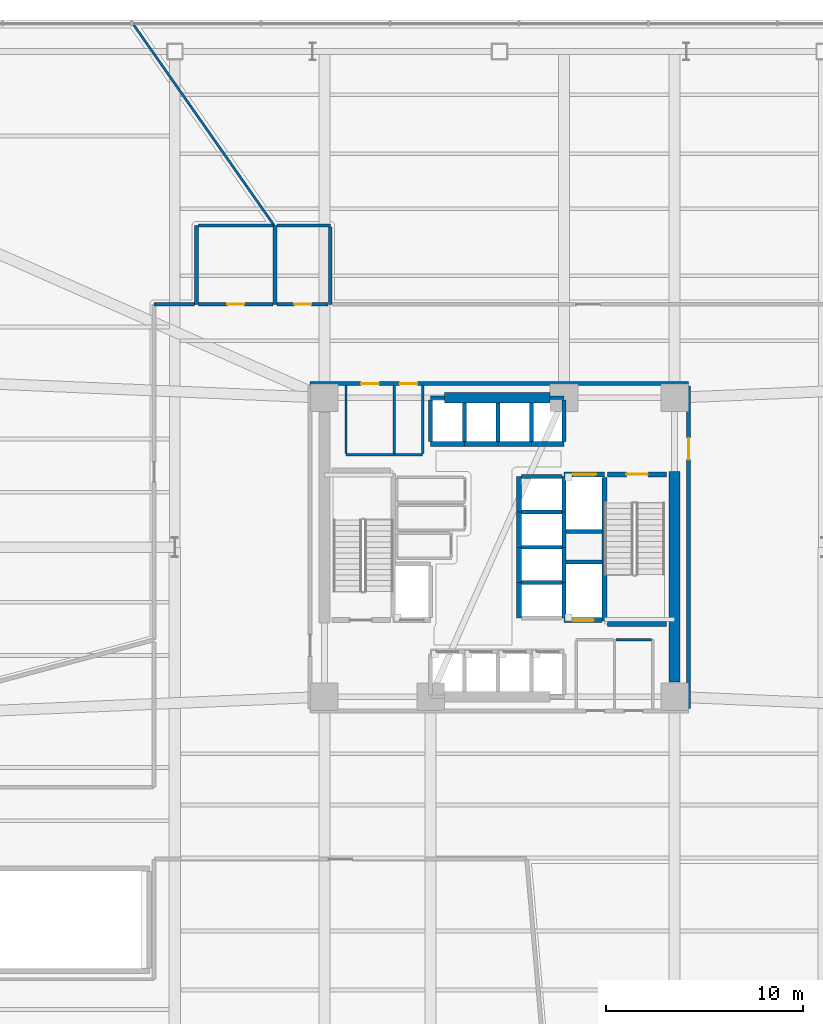
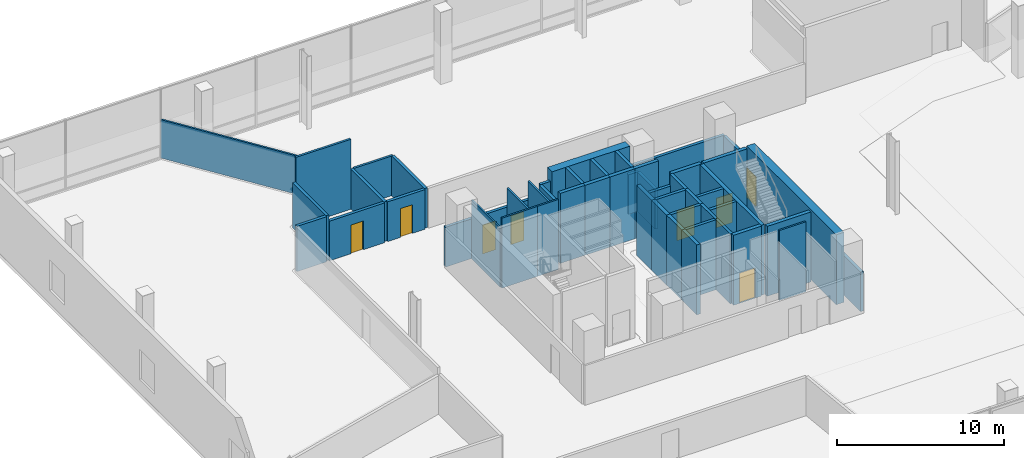
# One storey, part 13 of 19: 49 walls, 8 doors, 8 openings.
"""IFC4 building model written with IfcOpenShell, lengths in metres."""

from ifc_helpers import new_model, si_unit, direction, frame, frame_2d, origin, place, context, subcontext, project, spatial, rectangle, extrude, material, layer, layer_set, type_object, element, fill, save


model = new_model("IFC4")

# Units and contexts
model_context = context("Model", 3, precision=1e-05, world=origin(), true_north=direction((0.0, 1.0)))
body_context = subcontext(model_context, "Body", "Model", "MODEL_VIEW")
ifc_project = project(units=[si_unit("LENGTHUNIT", "METRE"), si_unit("AREAUNIT", "SQUARE_METRE"), si_unit("VOLUMEUNIT", "CUBIC_METRE"), si_unit("PLANEANGLEUNIT", "RADIAN"), si_unit("MASSUNIT", "GRAM", prefix="KILO")], contexts=[model_context])

# Site, building, storey
site_placement = place(None, origin())
site = spatial("IfcSite", under=ifc_project, at=site_placement, CompositionType="ELEMENT")
building_placement = place(site_placement, origin())
building = spatial("IfcBuilding", under=site, at=building_placement, Name="Tharavind Bronze Gate", CompositionType="ELEMENT")
storey_placement = place(building_placement, frame((0.0, 0.0, 26.5)))
storey = spatial("IfcBuildingStorey", under=building, at=storey_placement, Name="L05", CompositionType="ELEMENT", Elevation=26.5)

# Wall, openings, doors
ifc_material_1 = material(Name="Aerated Concrete Block", Category="concrete")
ifc_layer_1 = layer(ifc_material_1, 0.199951171875)
ifc_layer_set_1 = layer_set([ifc_layer_1], Name="Aerated Concrete Block")
wall_type_1 = type_object("IfcWallType", Name="FIRE RATED PARTITION 200", PredefinedType="PARTITIONING", material=ifc_layer_set_1)
wall_1_placement = place(storey_placement, frame((9.6201171875, 8.320068359375, 0.0), z_axis=(0.0, 0.0, 1.0), x_axis=(-1.0, 0.0, 0.0)))
wall_1 = element("IfcWall", 1, at=wall_1_placement, inside=storey, type_object=wall_type_1, Name="L05 north core corridor wall", PredefinedType="PARTITIONING", context=body_context, shape_type="SweptSolid", body=[
    extrude(rectangle(XDim=19.240234375, YDim=0.199951171875, at=frame_2d((9.6201171875, 0.0))), origin(), (0.0, 0.0, 1.0), 2.89990234375),
])
opening_1_placement = place(wall_1_placement, frame((15.7451171875, 0.0, 0.0)))
opening_1 = element("IfcOpeningElement", 2, at=opening_1_placement, cuts=wall_1, Name="Opening ID07", PredefinedType="OPENING", context=body_context, shape_type="SweptSolid", body=[
    extrude(rectangle(XDim=0.89990234375, YDim=2.10009765625, at=frame_2d((0.449951171875, 1.050048828125))), frame((0.0, 0.11009765625, 0.0), z_axis=(0.0, -1.0, 0.0), x_axis=(1.0, 0.0, 0.0)), (0.0, 0.0, 1.0), 0.219951171875),
])
opening_2_placement = place(wall_1_placement, frame((13.794921875, 0.0, 0.0)))
opening_2 = element("IfcOpeningElement", 3, at=opening_2_placement, cuts=wall_1, Name="Opening ID07", PredefinedType="OPENING", context=body_context, shape_type="SweptSolid", body=[
    extrude(rectangle(XDim=0.89990234375, YDim=2.10009765625, at=frame_2d((0.449951171875, 1.050048828125))), frame((0.0, 0.11009765625, 0.0), z_axis=(0.0, -1.0, 0.0), x_axis=(1.0, 0.0, 0.0)), (0.0, 0.0, 1.0), 0.219951171875),
])
ifc_material_2 = material(Name="Galvanised Fire Steel", Category="steel")
door_type_1 = type_object("IfcDoorType", Name="PLANT AND RISER FIRE DOOR 900X2100", OperationType="SINGLE_SWING_LEFT", PredefinedType="DOOR", material=ifc_material_2)
door_1_placement = place(opening_1_placement, origin())
door_1 = element("IfcDoor", 4, at=door_1_placement, inside=storey, type_object=door_type_1, Name="L05 Electrical Metering Room fire door", OperationType="SINGLE_SWING_LEFT", OverallHeight=2.10009765625, OverallWidth=0.89990234375, PredefinedType="DOOR", context=body_context, shape_type="SweptSolid", body=[
    extrude(rectangle(XDim=0.89990234375, YDim=2.10009765625, at=frame_2d((0.449951171875, 1.050048828125))), frame((0.0, 0.02490234375, 0.0), z_axis=(0.0, -1.0, 0.0), x_axis=(1.0, 0.0, 0.0)), (0.0, 0.0, 1.0), 0.050048828125),
])
fill(opening_1, door_1)
door_2_placement = place(opening_2_placement, origin())
door_2 = element("IfcDoor", 5, at=door_2_placement, inside=storey, type_object=door_type_1, Name="L05 Linen Cupboard fire door", OperationType="SINGLE_SWING_LEFT", OverallHeight=2.10009765625, OverallWidth=0.89990234375, PredefinedType="DOOR", context=body_context, shape_type="SweptSolid", body=[
    extrude(rectangle(XDim=0.89990234375, YDim=2.10009765625, at=frame_2d((0.449951171875, 1.050048828125))), frame((0.0, 0.02490234375, 0.0), z_axis=(0.0, -1.0, 0.0), x_axis=(1.0, 0.0, 0.0)), (0.0, 0.0, 1.0), 0.050048828125),
])
fill(opening_2, door_2)

# Wall, opening, door
wall_2_placement = place(storey_placement, frame((9.6201171875, -8.199951171875, 0.0), z_axis=(0.0, 0.0, 1.0), x_axis=(0.0, 1.0, 0.0)))
wall_2 = element("IfcWall", 6, at=wall_2_placement, inside=storey, type_object=wall_type_1, Name="L05 east core corridor wall", PredefinedType="PARTITIONING", context=body_context, shape_type="SweptSolid", body=[
    extrude(rectangle(XDim=16.39990234375, YDim=0.199951171875, at=frame_2d((8.199951171875, 0.0))), origin(), (0.0, 0.0, 1.0), 2.89990234375),
])
opening_3_placement = place(wall_2_placement, frame((12.64990234375, 0.0, 0.0)))
opening_3 = element("IfcOpeningElement", 7, at=opening_3_placement, cuts=wall_2, Name="Opening ID01", PredefinedType="OPENING", context=body_context, shape_type="SweptSolid", body=[
    extrude(rectangle(XDim=1.10009765625, YDim=2.14990234375, at=frame_2d((0.550048828125, 1.074951171875))), frame((0.0, 0.11009765625, 0.0), z_axis=(0.0, -1.0, 0.0), x_axis=(1.0, 0.0, 0.0)), (0.0, 0.0, 1.0), 0.219951171875),
])
ifc_material_3 = material(Name="Fire-Rated Steel", Category="steel")
door_type_2 = type_object("IfcDoorType", Name="STAIR CORE FIRE DOOR 1100X2150", OperationType="SINGLE_SWING_LEFT", PredefinedType="DOOR", material=ifc_material_3)
door_3_placement = place(opening_3_placement, frame((1.10009765625, 0.0, 0.0), z_axis=(0.0, 0.0, 1.0), x_axis=(-1.0, 0.0, 0.0)))
door_3 = element("IfcDoor", 8, at=door_3_placement, inside=storey, type_object=door_type_2, Name="L05 north east stair lobby fire door", OperationType="SINGLE_SWING_LEFT", OverallHeight=2.14990234375, OverallWidth=1.10009765625, PredefinedType="DOOR", context=body_context, shape_type="SweptSolid", body=[
    extrude(rectangle(XDim=1.10009765625, YDim=2.14990234375, at=frame_2d((0.550048828125, 1.074951171875))), frame((0.0, 0.02490234375, 0.0), z_axis=(0.0, -1.0, 0.0), x_axis=(1.0, 0.0, 0.0)), (0.0, 0.0, 1.0), 0.050048828125),
])
fill(opening_3, door_3)

# Walls
wall_3_placement = place(storey_placement, frame((-11.39990234375, 12.35009765625, 0.0), z_axis=(0.0, 0.0, 1.0), x_axis=(0.0, 1.0, 0.0)))
element("IfcWall", 9, at=wall_3_placement, inside=storey, type_object=wall_type_1, Name="L05 Accessible Toilet partition", PredefinedType="PARTITIONING", context=body_context, shape_type="SweptSolid", body=[
    extrude(rectangle(XDim=4.0, YDim=0.199951171875, at=frame_2d((2.0, 0.0))), origin(), (0.0, 0.0, 1.0), 2.89990234375),
])
wall_4_placement = place(storey_placement, frame((-8.60009765625, 16.27001953125, 0.0), z_axis=(0.0, 0.0, 1.0), x_axis=(0.0, -1.0, 0.0)))
element("IfcWall", 10, at=wall_4_placement, inside=storey, type_object=wall_type_1, Name="L05 Accessible Toilet partition", PredefinedType="PARTITIONING", context=body_context, shape_type="SweptSolid", body=[
    extrude(rectangle(XDim=3.919921875, YDim=0.199951171875, at=frame_2d((1.9599609375, 0.0))), origin(), (0.0, 0.0, 1.0), 2.89990234375),
])

# Wall, opening, door
wall_5_placement = place(storey_placement, frame((-8.705078125, 12.35009765625, 0.0), z_axis=(0.0, 0.0, 1.0), x_axis=(-1.0, 0.0, 0.0)))
wall_5 = element("IfcWall", 11, at=wall_5_placement, inside=storey, type_object=wall_type_1, Name="L05 Accessible Toilet partition", PredefinedType="PARTITIONING", context=body_context, shape_type="SweptSolid", body=[
    extrude(rectangle(XDim=2.58984375, YDim=0.199951171875, at=frame_2d((1.294921875, 0.0))), origin(), (0.0, 0.0, 1.0), 2.89990234375),
])
opening_4_placement = place(wall_5_placement, frame((0.8701171875, 0.0, 0.0)))
opening_4 = element("IfcOpeningElement", 12, at=opening_4_placement, cuts=wall_5, Name="Opening ID06", PredefinedType="OPENING", context=body_context, shape_type="SweptSolid", body=[
    extrude(rectangle(XDim=0.85009765625, YDim=2.10009765625, at=frame_2d((0.425048828125, 1.050048828125))), frame((0.0, 0.11009765625, 0.0), z_axis=(0.0, -1.0, 0.0), x_axis=(1.0, 0.0, 0.0)), (0.0, 0.0, 1.0), 0.219951171875),
])
ifc_material_4 = material(Name="Moisture-Resistant Timber", Category="wood")
door_type_3 = type_object("IfcDoorType", Name="BATHROOM PRIVACY DOOR 850X2100", OperationType="SINGLE_SWING_RIGHT", PredefinedType="DOOR", material=ifc_material_4)
door_4_placement = place(opening_4_placement, origin())
door_4 = element("IfcDoor", 13, at=door_4_placement, inside=storey, type_object=door_type_3, Name="L05 Accessible Toilet door", OperationType="SINGLE_SWING_RIGHT", OverallHeight=2.10009765625, OverallWidth=0.85009765625, PredefinedType="DOOR", context=body_context, shape_type="SweptSolid", body=[
    extrude(rectangle(XDim=0.85009765625, YDim=2.10009765625, at=frame_2d((0.425048828125, 1.050048828125))), frame((0.0, 0.02490234375, 0.0), z_axis=(0.0, -1.0, 0.0), x_axis=(1.0, 0.0, 0.0)), (0.0, 0.0, 1.0), 0.050048828125),
])
fill(opening_4, door_4)

# Wall
wall_6_placement = place(storey_placement, frame((-15.39990234375, 12.35009765625, 0.0), z_axis=(0.0, 0.0, 1.0), x_axis=(0.0, 1.0, 0.0)))
element("IfcWall", 14, at=wall_6_placement, inside=storey, type_object=wall_type_1, Name="L05 Public Washroom partition", PredefinedType="PARTITIONING", context=body_context, shape_type="SweptSolid", body=[
    extrude(rectangle(XDim=4.0, YDim=0.199951171875, at=frame_2d((2.0, 0.0))), origin(), (0.0, 0.0, 1.0), 3.300048828125),
])

# Wall, opening, door
wall_7_placement = place(storey_placement, frame((-11.5048828125, 12.35009765625, 0.0), z_axis=(0.0, 0.0, 1.0), x_axis=(-1.0, 0.0, 0.0)))
wall_7 = element("IfcWall", 15, at=wall_7_placement, inside=storey, type_object=wall_type_1, Name="L05 Public Washroom partition", PredefinedType="PARTITIONING", context=body_context, shape_type="SweptSolid", body=[
    extrude(rectangle(XDim=3.7900390625, YDim=0.199951171875, at=frame_2d((1.89501953125, 0.0))), origin(), (0.0, 0.0, 1.0), 2.89990234375),
])
opening_5_placement = place(wall_7_placement, frame((1.469970703125, 0.0, 0.0)))
opening_5 = element("IfcOpeningElement", 16, at=opening_5_placement, cuts=wall_7, Name="Opening ID06", PredefinedType="OPENING", context=body_context, shape_type="SweptSolid", body=[
    extrude(rectangle(XDim=0.85009765625, YDim=2.10009765625, at=frame_2d((0.425048828125, 1.050048828125))), frame((0.0, 0.11009765625, 0.0), z_axis=(0.0, -1.0, 0.0), x_axis=(1.0, 0.0, 0.0)), (0.0, 0.0, 1.0), 0.219951171875),
])
door_5_placement = place(opening_5_placement, origin())
door_5 = element("IfcDoor", 17, at=door_5_placement, inside=storey, type_object=door_type_3, Name="L05 Public Washroom door", OperationType="SINGLE_SWING_RIGHT", OverallHeight=2.10009765625, OverallWidth=0.85009765625, PredefinedType="DOOR", context=body_context, shape_type="SweptSolid", body=[
    extrude(rectangle(XDim=0.85009765625, YDim=2.10009765625, at=frame_2d((0.425048828125, 1.050048828125))), frame((0.0, 0.02490234375, 0.0), z_axis=(0.0, -1.0, 0.0), x_axis=(1.0, 0.0, 0.0)), (0.0, 0.0, 1.0), 0.050048828125),
])
fill(opening_5, door_5)

# Walls
wall_8_placement = place(storey_placement, frame((-15.5048828125, 12.35009765625, 0.0), z_axis=(0.0, 0.0, 1.0), x_axis=(-1.0, 0.0, 0.0)))
element("IfcWall", 18, at=wall_8_placement, inside=storey, type_object=wall_type_1, Name="L05 Simultaneous Interpretation Office partition", PredefinedType="PARTITIONING", context=body_context, shape_type="SweptSolid", body=[
    extrude(rectangle(XDim=2.04443359375, YDim=0.199951171875, at=frame_2d((1.022216796875, 0.0))), origin(), (0.0, 0.0, 1.0), 3.300048828125),
])
ifc_material_5 = material(Name="Metal Stud Gypsum Partition", Category="gypsum")
ifc_layer_2 = layer(ifc_material_5, 0.1201171875)
ifc_layer_set_2 = layer_set([ifc_layer_2], Name="Metal Stud Gypsum Partition")
wall_type_2 = type_object("IfcWallType", Name="INTERIOR PARTITION WALL 120", PredefinedType="PARTITIONING", material=ifc_layer_set_2)
wall_9_placement = place(storey_placement, frame((-7.800048828125, 4.699951171875, 0.0), z_axis=(0.0, 0.0, 1.0), x_axis=(1.0, 0.0, 0.0)))
element("IfcWall", 19, at=wall_9_placement, inside=storey, type_object=wall_type_2, Name="L05 Electrical Metering Room partition 1", PredefinedType="PARTITIONING", context=body_context, shape_type="SweptSolid", body=[
    extrude(rectangle(XDim=2.449951171875, YDim=0.1201171875, at=frame_2d((1.22509765625, 0.0))), origin(), (0.0, 0.0, 1.0), 5.10498046875),
])
for number, where, z_axis, x_axis, name in (
    (20, (-5.35009765625, 4.764892578125, 0.0), (0.0, 0.0, 1.0), (0.0, 1.0, 0.0), "L05 Electrical Metering Room partition 2"),
    (21, (-7.800048828125, 8.215087890625, 0.0), (0.0, 0.0, 1.0), (0.0, -1.0, 0.0), "L05 Electrical Metering Room partition 4"),
):
    element("IfcWall", number, at=place(storey_placement, frame(where, z_axis=z_axis, x_axis=x_axis)), inside=storey, type_object=wall_type_2, Name=name, PredefinedType="PARTITIONING", context=body_context, shape_type="SweptSolid", body=[
        extrude(rectangle(XDim=3.4501953125, YDim=0.1201171875, at=frame_2d((1.72509765625, 0.0))), origin(), (0.0, 0.0, 1.0), 4.300048828125),
    ])
wall_10_placement = place(storey_placement, frame((-5.35009765625, 4.699951171875, 0.0), z_axis=(0.0, 0.0, 1.0), x_axis=(1.0, 0.0, 0.0)))
element("IfcWall", 22, at=wall_10_placement, inside=storey, type_object=wall_type_2, Name="L05 Linen Cupboard partition 1", PredefinedType="PARTITIONING", context=body_context, shape_type="SweptSolid", body=[
    extrude(rectangle(XDim=1.4501953125, YDim=0.1201171875, at=frame_2d((0.72509765625, 0.0))), origin(), (0.0, 0.0, 1.0), 5.10498046875),
])
wall_11_placement = place(storey_placement, frame((-3.89990234375, 4.764892578125, 0.0), z_axis=(0.0, 0.0, 1.0), x_axis=(0.0, 1.0, 0.0)))
element("IfcWall", 23, at=wall_11_placement, inside=storey, type_object=wall_type_2, Name="L05 Linen Cupboard partition 2", PredefinedType="PARTITIONING", context=body_context, shape_type="SweptSolid", body=[
    extrude(rectangle(XDim=3.4501953125, YDim=0.1201171875, at=frame_2d((1.72509765625, 0.0))), origin(), (0.0, 0.0, 1.0), 4.300048828125),
])
wall_12_placement = place(storey_placement, frame((7.735107421875, -4.699951171875, 0.0), z_axis=(0.0, 0.0, 1.0), x_axis=(-1.0, 0.0, 0.0)))
element("IfcWall", 24, at=wall_12_placement, inside=storey, type_object=wall_type_2, Name="L05 Housekeeping Store partition 3", PredefinedType="PARTITIONING", context=body_context, shape_type="SweptSolid", body=[
    extrude(rectangle(XDim=1.820068359375, YDim=0.1201171875, at=frame_2d((0.91015625, 0.0))), origin(), (0.0, 0.0, 1.0), 5.10498046875),
])
wall_13_placement = place(storey_placement, frame((-11.455810546875, 16.360595703125, 0.0), z_axis=(0.0, 0.0, 1.0), x_axis=(-0.573565692607, 0.819159567035, 0.0)))
element("IfcWall", 25, at=wall_13_placement, inside=storey, type_object=wall_type_2, Name="L05 Auditorium Plenary Hall partition", PredefinedType="PARTITIONING", context=body_context, shape_type="SweptSolid", body=[
    extrude(rectangle(XDim=12.5244140625, YDim=0.1201171875, at=frame_2d((6.26220703125, 0.0))), origin(), (0.0, 0.0, 1.0), 2.800048828125),
])
ifc_material_6 = material(Name="Twin Stud Acoustic Gypsum", Category="gypsum")
ifc_layer_3 = layer(ifc_material_6, 0.14990234375)
ifc_layer_set_3 = layer_set([ifc_layer_3], Name="Twin Stud Acoustic Gypsum")
wall_type_3 = type_object("IfcWallType", Name="INTERIOR PARTITION WALL 150", PredefinedType="PARTITIONING", material=ifc_layer_set_3)
wall_14_placement = place(storey_placement, frame((-11.294921875, 16.35009765625, 0.0), z_axis=(0.0, 0.0, 1.0), x_axis=(1.0, 0.0, 0.0)))
element("IfcWall", 26, at=wall_14_placement, inside=storey, type_object=wall_type_3, Name="L05 Accessible Toilet partition", PredefinedType="PARTITIONING", context=body_context, shape_type="SweptSolid", body=[
    extrude(rectangle(XDim=2.69482421875, YDim=0.14990234375, at=frame_2d((1.347412109375, 0.0))), origin(), (0.0, 0.0, 1.0), 2.89990234375),
])
wall_15_placement = place(storey_placement, frame((-15.294921875, 16.35009765625, 0.0), z_axis=(0.0, 0.0, 1.0), x_axis=(1.0, 0.0, 0.0)))
element("IfcWall", 27, at=wall_15_placement, inside=storey, type_object=wall_type_3, Name="L05 Public Washroom partition", PredefinedType="PARTITIONING", context=body_context, shape_type="SweptSolid", body=[
    extrude(rectangle(XDim=3.7900390625, YDim=0.14990234375, at=frame_2d((1.89501953125, 0.0))), origin(), (0.0, 0.0, 1.0), 5.10498046875),
])
ifc_material_7 = material(Name="Concrete C50/60", Category="concrete")
ifc_layer_4 = layer(ifc_material_7, 0.25)
ifc_layer_set_4 = layer_set([ifc_layer_4], Name="Concrete C50/60")
wall_type_4 = type_object("IfcWallType", Name="RC CORE SHEAR WALL 250", PredefinedType="SHEAR", material=ifc_layer_set_4)
wall_16_placement = place(storey_placement, frame((5.35009765625, -3.75, 0.0), z_axis=(0.0, 0.0, 1.0), x_axis=(0.0, 1.0, 0.0)))
element("IfcWall", 28, at=wall_16_placement, inside=storey, type_object=wall_type_4, Name="L05 ST2 shaft west wall", PredefinedType="SHEAR", context=body_context, shape_type="SweptSolid", body=[
    extrude(rectangle(XDim=7.300048828125, YDim=0.25, at=frame_2d((3.64990234375, 0.0))), origin(), (0.0, 0.0, 1.0), 5.10498046875),
])

# Wall, opening, door
wall_17_placement = place(storey_placement, frame((5.5, 3.699951171875, 0.0), z_axis=(0.0, 0.0, 1.0), x_axis=(1.0, 0.0, 0.0)))
wall_17 = element("IfcWall", 29, at=wall_17_placement, inside=storey, type_object=wall_type_4, Name="L05 ST2 shaft north wall", PredefinedType="SHEAR", context=body_context, shape_type="SweptSolid", body=[
    extrude(rectangle(XDim=3.0, YDim=0.25, at=frame_2d((1.5, 0.0))), origin(), (0.0, 0.0, 1.0), 5.10498046875),
])
opening_6_placement = place(wall_17_placement, frame((0.949951171875, 0.0, 0.0)))
opening_6 = element("IfcOpeningElement", 30, at=opening_6_placement, cuts=wall_17, Name="Opening ID01", PredefinedType="OPENING", context=body_context, shape_type="SweptSolid", body=[
    extrude(rectangle(XDim=1.10009765625, YDim=2.14990234375, at=frame_2d((0.550048828125, 1.074951171875))), frame((0.0, 0.135, 0.0), z_axis=(0.0, -1.0, 0.0), x_axis=(1.0, 0.0, 0.0)), (0.0, 0.0, 1.0), 0.27),
])
door_6_placement = place(opening_6_placement, frame((1.10009765625, 0.0, 0.0), z_axis=(0.0, 0.0, 1.0), x_axis=(-1.0, 0.0, 0.0)))
door_6 = element("IfcDoor", 31, at=door_6_placement, inside=storey, type_object=door_type_2, Name="L05 exit stair ST2 fire door", OperationType="SINGLE_SWING_LEFT", OverallHeight=2.14990234375, OverallWidth=1.10009765625, PredefinedType="DOOR", context=body_context, shape_type="SweptSolid", body=[
    extrude(rectangle(XDim=1.10009765625, YDim=2.14990234375, at=frame_2d((0.550048828125, 1.074951171875))), frame((0.0, 0.02490234375, 0.0), z_axis=(0.0, -1.0, 0.0), x_axis=(1.0, 0.0, 0.0)), (0.0, 0.0, 1.0), 0.050048828125),
])
fill(opening_6, door_6)

# Walls
wall_18_placement = place(storey_placement, frame((5.5, -3.89990234375, 0.0), z_axis=(0.0, 0.0, 1.0), x_axis=(1.0, 0.0, 0.0)))
element("IfcWall", 32, at=wall_18_placement, inside=storey, type_object=wall_type_4, Name="L05 ST2 shaft south wall", PredefinedType="SHEAR", context=body_context, shape_type="SweptSolid", body=[
    extrude(rectangle(XDim=3.0, YDim=0.25, at=frame_2d((1.5, 0.0))), origin(), (0.0, 0.0, 1.0), 5.10498046875),
])
wall_19_placement = place(storey_placement, frame((-3.5, 5.25, 0.0), z_axis=(0.0, 0.0, 1.0), x_axis=(1.0, 0.0, 0.0)))
element("IfcWall", 33, at=wall_19_placement, inside=storey, type_object=wall_type_4, Name="L05 lift PL5 shaft front wall", PredefinedType="SHEAR", context=body_context, shape_type="SweptSolid", body=[
    extrude(rectangle(XDim=1.71240234375, YDim=0.25, at=frame_2d((0.856201171875, 0.0))), origin(), (0.0, 0.0, 1.0), 5.10498046875),
])
wall_20_placement = place(storey_placement, frame((-1.78759765625, 5.25, 0.0), z_axis=(0.0, 0.0, 1.0), x_axis=(1.0, 0.0, 0.0)))
element("IfcWall", 34, at=wall_20_placement, inside=storey, type_object=wall_type_4, Name="L05 lift PL6 shaft front wall", PredefinedType="SHEAR", context=body_context, shape_type="SweptSolid", body=[
    extrude(rectangle(XDim=1.712646484375, YDim=0.25, at=frame_2d((0.8564453125, 0.0))), origin(), (0.0, 0.0, 1.0), 5.10498046875),
])
wall_21_placement = place(storey_placement, frame((-0.074951171875, 5.25, 0.0), z_axis=(0.0, 0.0, 1.0), x_axis=(1.0, 0.0, 0.0)))
element("IfcWall", 35, at=wall_21_placement, inside=storey, type_object=wall_type_4, Name="L05 lift PL7 shaft front wall", PredefinedType="SHEAR", context=body_context, shape_type="SweptSolid", body=[
    extrude(rectangle(XDim=1.71240234375, YDim=0.25, at=frame_2d((0.856201171875, 0.0))), origin(), (0.0, 0.0, 1.0), 5.10498046875),
])
wall_22_placement = place(storey_placement, frame((1.637451171875, 5.25, 0.0), z_axis=(0.0, 0.0, 1.0), x_axis=(1.0, 0.0, 0.0)))
element("IfcWall", 36, at=wall_22_placement, inside=storey, type_object=wall_type_4, Name="L05 lift PL8 shaft front wall", PredefinedType="SHEAR", context=body_context, shape_type="SweptSolid", body=[
    extrude(rectangle(XDim=1.642578125, YDim=0.25, at=frame_2d((0.8212890625, 0.0))), origin(), (0.0, 0.0, 1.0), 5.10498046875),
])
for number, where, z_axis, x_axis, name in (
    (37, (1.0, -3.60009765625, 0.0), (0.0, 0.0, 1.0), (0.0, 1.0, 0.0), "L05 lift PL9 shaft front wall"),
    (38, (1.0, -1.800048828125, 0.0), (0.0, 0.0, 1.0), (0.0, 1.0, 0.0), "L05 lift PL10 shaft front wall"),
    (39, (1.0, 0.0, 0.0), (0.0, 0.0, 1.0), (0.0, 1.0, 0.0), "L05 lift PL11 shaft front wall"),
    (40, (1.0, 1.800048828125, 0.0), (0.0, 0.0, 1.0), (0.0, 1.0, 0.0), "L05 lift PL12 shaft front wall"),
):
    element("IfcWall", number, at=place(storey_placement, frame(where, z_axis=z_axis, x_axis=x_axis)), inside=storey, type_object=wall_type_4, Name=name, PredefinedType="SHEAR", context=body_context, shape_type="SweptSolid", body=[
        extrude(rectangle(XDim=1.800048828125, YDim=0.25, at=frame_2d((0.89990234375, 0.0))), origin(), (0.0, 0.0, 1.0), 5.10498046875),
    ])

# Wall, opening, door
wall_23_placement = place(storey_placement, frame((3.280029296875, 3.699951171875, 0.0), z_axis=(0.0, 0.0, 1.0), x_axis=(1.0, 0.0, 0.0)))
wall_23 = element("IfcWall", 41, at=wall_23_placement, inside=storey, type_object=wall_type_4, Name="L05 lift FFL2 shaft front wall", PredefinedType="SHEAR", context=body_context, shape_type="SweptSolid", body=[
    extrude(rectangle(XDim=2.070068359375, YDim=0.25, at=frame_2d((1.03515625, 0.0))), origin(), (0.0, 0.0, 1.0), 5.10498046875),
])
opening_7_placement = place(wall_23_placement, frame((0.43505859375, 0.0, 0.0)))
opening_7 = element("IfcOpeningElement", 42, at=opening_7_placement, cuts=wall_23, Name="Opening LD02", PredefinedType="OPENING", context=body_context, shape_type="SweptSolid", body=[
    extrude(rectangle(XDim=1.199951171875, YDim=2.199951171875, at=frame_2d((0.60009765625, 1.10009765625))), frame((0.0, 0.135, 0.0), z_axis=(0.0, -1.0, 0.0), x_axis=(1.0, 0.0, 0.0)), (0.0, 0.0, 1.0), 0.27),
])
ifc_material_8 = material(Name="Brushed Stainless Steel", Category="steel")
door_type_4 = type_object("IfcDoorType", Name="FIREFIGHTING LIFT LANDING DOOR 1200X2200", OperationType="SLIDING_TO_RIGHT", PredefinedType="DOOR", material=ifc_material_8)
door_7_placement = place(opening_7_placement, origin())
door_7 = element("IfcDoor", 43, at=door_7_placement, inside=storey, type_object=door_type_4, Name="L05 lift FFL2 sliding landing door", OperationType="SLIDING_TO_RIGHT", OverallHeight=2.199951171875, OverallWidth=1.199951171875, PredefinedType="DOOR", context=body_context, shape_type="SweptSolid", body=[
    extrude(rectangle(XDim=1.199951171875, YDim=2.199951171875, at=frame_2d((0.60009765625, 1.10009765625))), frame((0.0, 0.02490234375, 0.0), z_axis=(0.0, -1.0, 0.0), x_axis=(1.0, 0.0, 0.0)), (0.0, 0.0, 1.0), 0.050048828125),
])
fill(opening_7, door_7)

wall_24_placement = place(storey_placement, frame((3.280029296875, -3.699951171875, 0.0), z_axis=(0.0, 0.0, 1.0), x_axis=(1.0, 0.0, 0.0)))
wall_24 = element("IfcWall", 44, at=wall_24_placement, inside=storey, type_object=wall_type_4, Name="L05 lift SVL1 shaft front wall", PredefinedType="SHEAR", context=body_context, shape_type="SweptSolid", body=[
    extrude(rectangle(XDim=1.93994140625, YDim=0.25, at=frame_2d((0.969970703125, 0.0))), origin(), (0.0, 0.0, 1.0), 5.10498046875),
])
opening_8_placement = place(wall_24_placement, frame((0.419921875, 0.0, 0.0)))
opening_8 = element("IfcOpeningElement", 45, at=opening_8_placement, cuts=wall_24, Name="Opening LD01", PredefinedType="OPENING", context=body_context, shape_type="SweptSolid", body=[
    extrude(rectangle(XDim=1.10009765625, YDim=2.199951171875, at=frame_2d((0.550048828125, 1.10009765625))), frame((0.0, 0.135, 0.0), z_axis=(0.0, -1.0, 0.0), x_axis=(1.0, 0.0, 0.0)), (0.0, 0.0, 1.0), 0.27),
])
ifc_material_9 = material(Name="Brushed Bronze Stainless Steel", Category="steel")
door_type_5 = type_object("IfcDoorType", Name="LIFT LANDING SLIDING DOOR 1100X2200", OperationType="SLIDING_TO_LEFT", PredefinedType="DOOR", material=ifc_material_9)
door_8_placement = place(opening_8_placement, origin())
door_8 = element("IfcDoor", 46, at=door_8_placement, inside=storey, type_object=door_type_5, Name="L05 lift SVL1 sliding landing door", OperationType="SLIDING_TO_LEFT", OverallHeight=2.199951171875, OverallWidth=1.10009765625, PredefinedType="DOOR", context=body_context, shape_type="SweptSolid", body=[
    extrude(rectangle(XDim=1.10009765625, YDim=2.199951171875, at=frame_2d((0.550048828125, 1.10009765625))), frame((0.0, 0.02490234375, 0.0), z_axis=(0.0, -1.0, 0.0), x_axis=(1.0, 0.0, 0.0)), (0.0, 0.0, 1.0), 0.050048828125),
])
fill(opening_8, door_8)

# Walls
ifc_material_10 = material(Name="Concrete C60/75", Category="concrete")
ifc_layer_5 = layer(ifc_material_10, 0.550048828125)
ifc_layer_set_5 = layer_set([ifc_layer_5], Name="Concrete C60/75")
wall_type_5 = type_object("IfcWallType", Name="RC CORE SHEAR WALL 550", PredefinedType="SHEAR", material=ifc_layer_set_5)
wall_25_placement = place(storey_placement, frame((-2.800048828125, 7.60009765625, 0.0), z_axis=(0.0, 0.0, 1.0), x_axis=(1.0, 0.0, 0.0)))
element("IfcWall", 47, at=wall_25_placement, inside=storey, type_object=wall_type_5, Name="L05 north core shear wall", PredefinedType="SHEAR", context=body_context, shape_type="SweptSolid", body=[
    extrude(rectangle(XDim=5.380126953125, YDim=0.550048828125, at=frame_2d((2.68994140625, 0.0))), origin(), (0.0, 0.0, 1.0), 5.10498046875),
])
wall_26_placement = place(storey_placement, frame((8.89990234375, -6.85009765625, 0.0), z_axis=(0.0, 0.0, 1.0), x_axis=(0.0, 1.0, 0.0)))
element("IfcWall", 48, at=wall_26_placement, inside=storey, type_object=wall_type_5, Name="L05 east core shear wall", PredefinedType="SHEAR", context=body_context, shape_type="SweptSolid", body=[
    extrude(rectangle(XDim=10.7001953125, YDim=0.550048828125, at=frame_2d((5.35009765625, 0.0))), origin(), (0.0, 0.0, 1.0), 5.10498046875),
])
ifc_material_11 = material(Name="Concrete C40/50", Category="concrete")
ifc_layer_6 = layer(ifc_material_11, 0.199951171875)
ifc_layer_set_6 = layer_set([ifc_layer_6], Name="Concrete C40/50")
wall_type_6 = type_object("IfcWallType", Name="SHAFT ENCLOSURE WALL 200", PredefinedType="PARTITIONING", material=ifc_layer_set_6)
wall_27_placement = place(storey_placement, frame((-3.5, 7.60009765625, 0.0), z_axis=(0.0, 0.0, 1.0), x_axis=(1.0, 0.0, 0.0)))
element("IfcWall", 49, at=wall_27_placement, inside=storey, type_object=wall_type_6, Name="L05 lift PL5 shaft N enclosure wall", PredefinedType="PARTITIONING", context=body_context, shape_type="SweptSolid", body=[
    extrude(rectangle(XDim=0.699951171875, YDim=0.199951171875, at=frame_2d((0.35009765625, 0.0))), origin(), (0.0, 0.0, 1.0), 4.300048828125),
])
wall_28_placement = place(storey_placement, frame((-3.5, 5.3798828125, 0.0), z_axis=(0.0, 0.0, 1.0), x_axis=(0.0, 1.0, 0.0)))
element("IfcWall", 50, at=wall_28_placement, inside=storey, type_object=wall_type_6, Name="L05 lift PL5 shaft W enclosure wall", PredefinedType="PARTITIONING", context=body_context, shape_type="SweptSolid", body=[
    extrude(rectangle(XDim=2.115234375, YDim=0.199951171875, at=frame_2d((1.0576171875, 0.0))), origin(), (0.0, 0.0, 1.0), 4.300048828125),
])
for number, where, z_axis, x_axis, name in (
    (51, (-1.78759765625, 5.3798828125, 0.0), (0.0, 0.0, 1.0), (0.0, 1.0, 0.0), "L05 lift PL5 shaft E enclosure wall"),
    (52, (-0.074951171875, 5.3798828125, 0.0), (0.0, 0.0, 1.0), (0.0, 1.0, 0.0), "L05 lift PL6 shaft E enclosure wall"),
    (53, (1.637451171875, 5.3798828125, 0.0), (0.0, 0.0, 1.0), (0.0, 1.0, 0.0), "L05 lift PL7 shaft E enclosure wall"),
):
    element("IfcWall", number, at=place(storey_placement, frame(where, z_axis=z_axis, x_axis=x_axis)), inside=storey, type_object=wall_type_6, Name=name, PredefinedType="PARTITIONING", context=body_context, shape_type="SweptSolid", body=[
        extrude(rectangle(XDim=1.940185546875, YDim=0.199951171875, at=frame_2d((0.97021484375, 0.0))), origin(), (0.0, 0.0, 1.0), 5.10498046875),
    ])
wall_29_placement = place(storey_placement, frame((2.580078125, 7.60009765625, 0.0), z_axis=(0.0, 0.0, 1.0), x_axis=(1.0, 0.0, 0.0)))
element("IfcWall", 54, at=wall_29_placement, inside=storey, type_object=wall_type_6, Name="L05 lift PL8 shaft N enclosure wall", PredefinedType="PARTITIONING", context=body_context, shape_type="SweptSolid", body=[
    extrude(rectangle(XDim=0.699951171875, YDim=0.199951171875, at=frame_2d((0.35009765625, 0.0))), origin(), (0.0, 0.0, 1.0), 2.89990234375),
])
wall_30_placement = place(storey_placement, frame((3.280029296875, 5.3798828125, 0.0), z_axis=(0.0, 0.0, 1.0), x_axis=(0.0, 1.0, 0.0)))
element("IfcWall", 55, at=wall_30_placement, inside=storey, type_object=wall_type_6, Name="L05 lift PL8 shaft E enclosure wall", PredefinedType="PARTITIONING", context=body_context, shape_type="SweptSolid", body=[
    extrude(rectangle(XDim=2.115234375, YDim=0.199951171875, at=frame_2d((1.0576171875, 0.0))), origin(), (0.0, 0.0, 1.0), 2.89990234375),
])
wall_31_placement = place(storey_placement, frame((3.280029296875, -3.60009765625, 0.0), z_axis=(0.0, 0.0, 1.0), x_axis=(0.0, 1.0, 0.0)))
element("IfcWall", 56, at=wall_31_placement, inside=storey, type_object=wall_type_6, Name="L05 lift PL9 shaft E enclosure wall", PredefinedType="PARTITIONING", context=body_context, shape_type="SweptSolid", body=[
    extrude(rectangle(XDim=1.800048828125, YDim=0.199951171875, at=frame_2d((0.89990234375, 0.0))), origin(), (0.0, 0.0, 1.0), 5.10498046875),
])
wall_32_placement = place(storey_placement, frame((1.1298828125, -1.800048828125, 0.0), z_axis=(0.0, 0.0, 1.0), x_axis=(1.0, 0.0, 0.0)))
element("IfcWall", 57, at=wall_32_placement, inside=storey, type_object=wall_type_6, Name="L05 lift PL9 shaft N enclosure wall", PredefinedType="PARTITIONING", context=body_context, shape_type="SweptSolid", body=[
    extrude(rectangle(XDim=2.045166015625, YDim=0.199951171875, at=frame_2d((1.0224609375, 0.0))), origin(), (0.0, 0.0, 1.0), 5.10498046875),
])
wall_33_placement = place(storey_placement, frame((3.280029296875, -1.800048828125, 0.0), z_axis=(0.0, 0.0, 1.0), x_axis=(0.0, 1.0, 0.0)))
element("IfcWall", 58, at=wall_33_placement, inside=storey, type_object=wall_type_6, Name="L05 lift PL10 shaft E enclosure wall", PredefinedType="PARTITIONING", context=body_context, shape_type="SweptSolid", body=[
    extrude(rectangle(XDim=1.800048828125, YDim=0.199951171875, at=frame_2d((0.89990234375, 0.0))), origin(), (0.0, 0.0, 1.0), 5.10498046875),
])
wall_34_placement = place(storey_placement, frame((1.1298828125, 0.0, 0.0), z_axis=(0.0, 0.0, 1.0), x_axis=(1.0, 0.0, 0.0)))
element("IfcWall", 59, at=wall_34_placement, inside=storey, type_object=wall_type_6, Name="L05 lift PL10 shaft N enclosure wall", PredefinedType="PARTITIONING", context=body_context, shape_type="SweptSolid", body=[
    extrude(rectangle(XDim=2.045166015625, YDim=0.199951171875, at=frame_2d((1.0224609375, 0.0))), origin(), (0.0, 0.0, 1.0), 5.10498046875),
])
wall_35_placement = place(storey_placement, frame((3.280029296875, 0.0, 0.0), z_axis=(0.0, 0.0, 1.0), x_axis=(0.0, 1.0, 0.0)))
element("IfcWall", 60, at=wall_35_placement, inside=storey, type_object=wall_type_6, Name="L05 lift PL11 shaft E enclosure wall", PredefinedType="PARTITIONING", context=body_context, shape_type="SweptSolid", body=[
    extrude(rectangle(XDim=1.800048828125, YDim=0.199951171875, at=frame_2d((0.89990234375, 0.0))), origin(), (0.0, 0.0, 1.0), 5.10498046875),
])
wall_36_placement = place(storey_placement, frame((1.1298828125, 1.800048828125, 0.0), z_axis=(0.0, 0.0, 1.0), x_axis=(1.0, 0.0, 0.0)))
element("IfcWall", 61, at=wall_36_placement, inside=storey, type_object=wall_type_6, Name="L05 lift PL11 shaft N enclosure wall", PredefinedType="PARTITIONING", context=body_context, shape_type="SweptSolid", body=[
    extrude(rectangle(XDim=2.045166015625, YDim=0.199951171875, at=frame_2d((1.0224609375, 0.0))), origin(), (0.0, 0.0, 1.0), 5.10498046875),
])
wall_37_placement = place(storey_placement, frame((3.280029296875, 1.800048828125, 0.0), z_axis=(0.0, 0.0, 1.0), x_axis=(0.0, 1.0, 0.0)))
element("IfcWall", 62, at=wall_37_placement, inside=storey, type_object=wall_type_6, Name="L05 lift PL12 shaft E enclosure wall", PredefinedType="PARTITIONING", context=body_context, shape_type="SweptSolid", body=[
    extrude(rectangle(XDim=1.800048828125, YDim=0.199951171875, at=frame_2d((0.89990234375, 0.0))), origin(), (0.0, 0.0, 1.0), 5.10498046875),
])
wall_38_placement = place(storey_placement, frame((1.1298828125, 3.60009765625, 0.0), z_axis=(0.0, 0.0, 1.0), x_axis=(1.0, 0.0, 0.0)))
element("IfcWall", 63, at=wall_38_placement, inside=storey, type_object=wall_type_6, Name="L05 lift PL12 shaft N enclosure wall", PredefinedType="PARTITIONING", context=body_context, shape_type="SweptSolid", body=[
    extrude(rectangle(XDim=2.045166015625, YDim=0.199951171875, at=frame_2d((1.0224609375, 0.0))), origin(), (0.0, 0.0, 1.0), 4.300048828125),
])
for number, where, z_axis, x_axis, name in (
    (64, (3.385009765625, 0.800048828125, 0.0), (0.0, 0.0, 1.0), (1.0, 0.0, 0.0), "L05 lift FFL2 shaft S enclosure wall"),
    (65, (3.385009765625, -0.75, 0.0), (0.0, 0.0, 1.0), (1.0, 0.0, 0.0), "L05 lift SVL1 shaft N enclosure wall"),
):
    element("IfcWall", number, at=place(storey_placement, frame(where, z_axis=z_axis, x_axis=x_axis)), inside=storey, type_object=wall_type_6, Name=name, PredefinedType="PARTITIONING", context=body_context, shape_type="SweptSolid", body=[
        extrude(rectangle(XDim=1.8349609375, YDim=0.199951171875, at=frame_2d((0.91748046875, 0.0))), origin(), (0.0, 0.0, 1.0), 5.10498046875),
    ])

save(model, "model.ifc")
